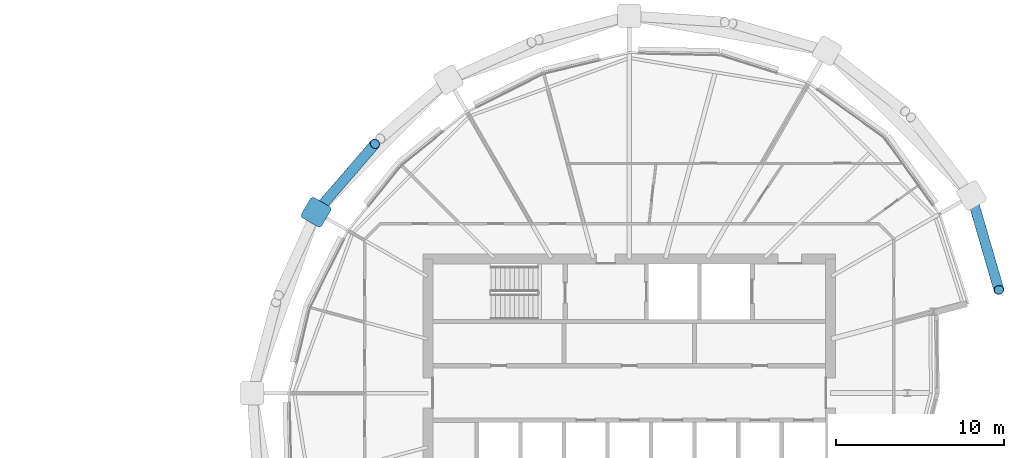
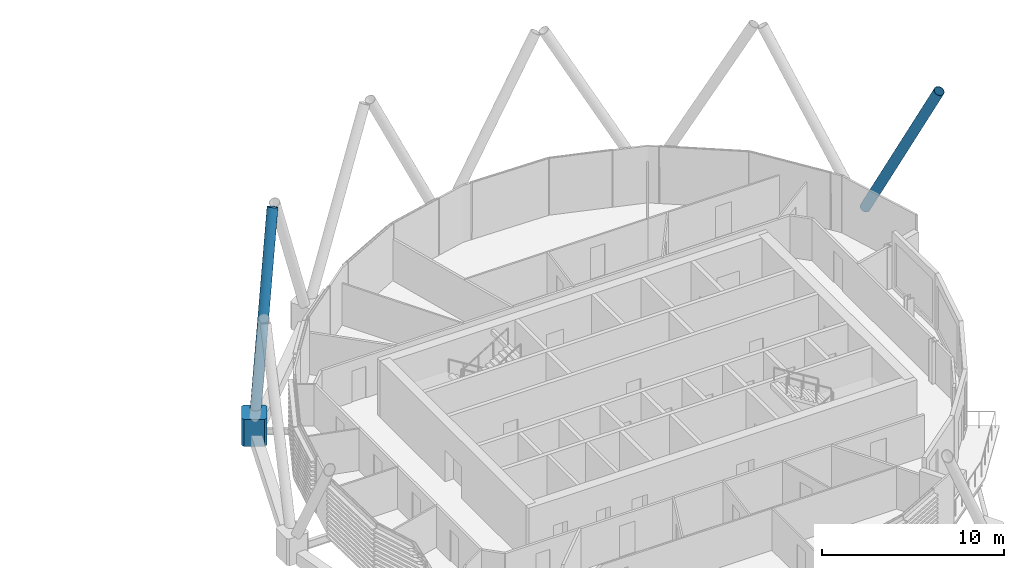
# One storey, part 17 of 36: 3 members.
"""IFC4 building model written with IfcOpenShell, lengths in metres."""

import ifcopenshell
import ifcopenshell.guid

model = None  # the IFC model being written
_history = None  # IfcOwnerHistory: only IFC2X3 demands one
_inside = {}  # id of a spatial element -> (the spatial element, [elements in it])
_under = {}  # id of a project, library or spatial element -> (it, [spatial elements below it])
_declared = {}  # id of a project -> (the project, [libraries it declares])
_typed = {}  # id of a type object -> (the type object, [elements of that type])
_made_of = {}  # id of a material, layer set ... -> (it, [elements and type objects made of it])


def new_model(schema):
    """Start an empty IFC model of exactly this schema.

    Asked for "IFC4X3", IfcOpenShell would pick the latest addendum, in which some entities
    have other attributes; the version numbers below select the first issue.
    IFC2X3 requires an IfcOwnerHistory on every rooted entity: one is made here for all.
    """
    global model, _history
    if schema == "IFC4X3":
        model = ifcopenshell.file(schema_version=(4, 3, 0, 0))
    else:
        model = ifcopenshell.file(schema=schema)
    _inside.clear()
    _under.clear()
    _declared.clear()
    _typed.clear()
    _made_of.clear()
    _history = None
    if model.schema == "IFC2X3":
        org = make("IfcOrganization", Name="unknown")
        user = make(
            "IfcPersonAndOrganization",
            ThePerson=make("IfcPerson", FamilyName="unknown"),
            TheOrganization=org,
        )
        app = make(
            "IfcApplication",
            ApplicationDeveloper=org,
            Version="unknown",
            ApplicationFullName="unknown",
            ApplicationIdentifier="unknown",
        )
        _history = make(
            "IfcOwnerHistory",
            OwningUser=user,
            OwningApplication=app,
            ChangeAction="ADDED",
            CreationDate=0,
        )
    return model


def make(cls, **values):
    """One entity of the class cls with the attributes given. An attribute that is None is left unset."""
    return model.create_entity(
        cls, **{name: value for name, value in values.items() if value is not None}
    )


def rooted(cls, **values):
    """An entity with a GlobalId (a new one), such as an element, a storey or a relation."""
    return make(cls, GlobalId=ifcopenshell.guid.new(), OwnerHistory=_history, **values)


def si_unit(unit_type, name, prefix=None):
    """IfcSIUnit, for example si_unit("LENGTHUNIT", "METRE", prefix="MILLI")."""
    return make("IfcSIUnit", UnitType=unit_type, Prefix=prefix, Name=name)


def assignment(units):
    """IfcUnitAssignment: the units of a project."""
    return None if units is None else make("IfcUnitAssignment", Units=units)


def point(xyz):
    """IfcCartesianPoint."""
    return None if xyz is None else make("IfcCartesianPoint", Coordinates=xyz)


def direction(xyz):
    """IfcDirection."""
    return None if xyz is None else make("IfcDirection", DirectionRatios=xyz)


def frame(location, z_axis=None, x_axis=None):
    """IfcAxis2Placement3D, a coordinate frame: its origin and axes. An axis left out is left unset."""
    return make(
        "IfcAxis2Placement3D",
        Location=point(location),
        Axis=direction(z_axis),
        RefDirection=direction(x_axis),
    )


def frame_2d(location, x_axis=None):
    """IfcAxis2Placement2D, a coordinate frame in the plane: its origin and x axis."""
    return make(
        "IfcAxis2Placement2D", Location=point(location), RefDirection=direction(x_axis)
    )


def origin():
    """The frame at (0, 0, 0) with its axes left unset."""
    return frame((0.0, 0.0, 0.0))


def origin_2d():
    """The frame at (0, 0) in the plane with its x axis left unset."""
    return frame_2d((0.0, 0.0))


def place(relative_to, where):
    """IfcLocalPlacement: puts the frame where relative to a parent placement (None: the world)."""
    return make(
        "IfcLocalPlacement", PlacementRelTo=relative_to, RelativePlacement=where
    )


def context(
    kind, dimensions, precision=None, world=None, true_north=None, identifier=None
):
    """IfcGeometricRepresentationContext, for example the 3D "Model" context."""
    return make(
        "IfcGeometricRepresentationContext",
        ContextIdentifier=identifier,
        ContextType=kind,
        CoordinateSpaceDimension=dimensions,
        Precision=precision,
        WorldCoordinateSystem=world,
        TrueNorth=true_north,
    )


def subcontext(parent, identifier, kind, view, scale=None):
    """IfcGeometricRepresentationSubContext, for example "Body" below "Model"."""
    return make(
        "IfcGeometricRepresentationSubContext",
        ContextIdentifier=identifier,
        ContextType=kind,
        ParentContext=parent,
        TargetScale=scale,
        TargetView=view,
    )


def project(units=None, contexts=None):
    """IfcProject with its units and contexts."""
    return rooted(
        "IfcProject",
        Name="project",
        RepresentationContexts=contexts,
        UnitsInContext=assignment(units),
    )


def spatial(cls, under=None, at=None, **own):
    """A site, building, storey or space (cls), placed at a placement, below another one or the project."""
    s = rooted(cls, ObjectPlacement=at, **own)
    if under is not None:
        _under.setdefault(under.id(), (under, []))[1].append(s)
    return s


def polyline(points):
    """IfcPolyline through the points."""
    return make("IfcPolyline", Points=[point(p) for p in points])


def profile(cls, at=None, kind="AREA", **sizes):
    """A parametric profile (cls). Its sizes go by their IFC names, for example OverallWidth=200.0."""
    return make(cls, ProfileType=kind, Position=at, **sizes)


def hollow_circle(**sizes):
    """IfcCircleHollowProfileDef."""
    return profile("IfcCircleHollowProfileDef", **sizes)


def outline(outer, holes=None, kind="AREA"):
    """IfcArbitraryClosedProfileDef: a profile drawn as a closed curve; with holes, ...WithVoids."""
    if holes is None:
        return make("IfcArbitraryClosedProfileDef", ProfileType=kind, OuterCurve=outer)
    return make(
        "IfcArbitraryProfileDefWithVoids",
        ProfileType=kind,
        OuterCurve=outer,
        InnerCurves=holes,
    )


def extrude(swept, where, along, depth):
    """IfcExtrudedAreaSolid: the profile swept, set in the frame where, extruded along a direction by depth."""
    return make(
        "IfcExtrudedAreaSolid",
        SweptArea=swept,
        Position=where,
        ExtrudedDirection=direction(along),
        Depth=depth,
    )


def shape(context_of_items, identifier, shape_type, items):
    """IfcShapeRepresentation: the items that make up one representation, for example the "Body"."""
    return make(
        "IfcShapeRepresentation",
        ContextOfItems=context_of_items,
        RepresentationIdentifier=identifier,
        RepresentationType=shape_type,
        Items=items,
    )


def material(Name=None, Category=None):
    """IfcMaterial."""
    return make("IfcMaterial", Name=Name, Category=Category)


def material_profile(
    of_material, cross_section, Name=None, Category=None, Priority=None
):
    """IfcMaterialProfile: a cross section and its material."""
    return make(
        "IfcMaterialProfile",
        Name=Name,
        Material=of_material,
        Profile=cross_section,
        Priority=Priority,
        Category=Category,
    )


def profile_set(profiles, Name=None, composite=None):
    """IfcMaterialProfileSet."""
    return make(
        "IfcMaterialProfileSet",
        Name=Name,
        MaterialProfiles=profiles,
        CompositeProfile=composite,
    )


def made_of(thing, what):
    """Note that an element or type object is made of a material, layer set ...; save() writes the relation."""
    if what is not None:
        _made_of.setdefault(what.id(), (what, []))[1].append(thing)
    return thing


def type_object(cls, material=None, **own):
    """A type object (cls), such as IfcWallType, which elements share."""
    return made_of(rooted(cls, **own), material)


def element(
    cls,
    number,
    at=None,
    inside=None,
    cuts=None,
    type_object=None,
    material=None,
    context=None,
    identifier="Body",
    shape_type=None,
    held_by="IfcProductDefinitionShape",
    body=None,
    shapes=None,
    **own,
):
    """One element of the class cls, such as IfcWall. Its Tag is "e" and its number.

    at: its placement. inside: the storey or other place that contains it. cuts: it is an
    opening in that element (IfcRelVoidsElement). A single representation is given by context,
    identifier, shape_type and body (its items); several are given by shapes. held_by: the class
    of the entity that holds the representations. save() writes the other relations.
    """
    e = rooted(cls, Tag="e%d" % number, ObjectPlacement=at, **own)
    if body is not None:
        shapes = [shape(context, identifier, shape_type, body)]
    if shapes is not None:
        e.Representation = make(held_by, Representations=shapes)
    if inside is not None:
        _inside.setdefault(inside.id(), (inside, []))[1].append(e)
    if cuts is not None:
        rooted(
            "IfcRelVoidsElement", RelatingBuildingElement=cuts, RelatedOpeningElement=e
        )
    if type_object is not None:
        _typed.setdefault(type_object.id(), (type_object, []))[1].append(e)
    return made_of(e, material)


def aggregate(whole, parts):
    """IfcRelAggregates: a whole, such as a stair, and the parts it consists of."""
    return rooted("IfcRelAggregates", RelatingObject=whole, RelatedObjects=parts)


def save(model, path):
    """Write the relations noted so far, then the file.

    IfcRelAggregates (storeys below a building ...), IfcRelContainedInSpatialStructure (elements
    in a storey), IfcRelDefinesByType, IfcRelAssociatesMaterial and IfcRelDeclares: one each for
    every whole, place, type object, material and project.
    """
    for whole, parts in _under.values():
        aggregate(whole, parts)
    for where, things in _inside.values():
        rooted(
            "IfcRelContainedInSpatialStructure",
            RelatedElements=things,
            RelatingStructure=where,
        )
    for kind, things in _typed.values():
        rooted("IfcRelDefinesByType", RelatedObjects=things, RelatingType=kind)
    for what, things in _made_of.values():
        rooted("IfcRelAssociatesMaterial", RelatedObjects=things, RelatingMaterial=what)
    for by, libraries in _declared.values():
        rooted("IfcRelDeclares", RelatingContext=by, RelatedDefinitions=libraries)
    model.write(path)


model = new_model("IFC4")

# Units and contexts
model_context = context("Model", 3, precision=1e-05, world=origin(), true_north=direction((0.0, 1.0)))
body_context = subcontext(model_context, "Body", "Model", "MODEL_VIEW")
ifc_project = project(units=[si_unit("LENGTHUNIT", "METRE"), si_unit("AREAUNIT", "SQUARE_METRE"), si_unit("VOLUMEUNIT", "CUBIC_METRE"), si_unit("PLANEANGLEUNIT", "RADIAN"), si_unit("MASSUNIT", "GRAM", prefix="KILO")], contexts=[model_context])

# Site, building, storey
site_placement = place(None, origin())
site = spatial("IfcSite", under=ifc_project, at=site_placement, CompositionType="ELEMENT")
building_placement = place(site_placement, origin())
building = spatial("IfcBuilding", under=site, at=building_placement, Name="Rimbun Link Towers", CompositionType="ELEMENT")
storey_placement = place(building_placement, frame((0.0, 0.0, 193.10009765625)))
storey = spatial("IfcBuildingStorey", under=building, at=storey_placement, Name="L47", CompositionType="ELEMENT", Elevation=193.10009765625)

# Members
ifc_material_1 = material(Name="Steel S355J2H", Category="steel")
ifc_material_profile_1 = material_profile(ifc_material_1, hollow_circle(Radius=0.3046875, WallThickness=0.02490234375, at=origin_2d()), Name="Diagrid diagonal CHS 610x25")
ifc_profile_set_1 = profile_set([ifc_material_profile_1], Name="Steel S355J2H")
member_type_1 = type_object("IfcMemberType", Name="Diagrid diagonal CHS 610x25", PredefinedType="BRACE", material=ifc_profile_set_1)
member_1_placement = place(storey_placement, frame((13.219482421875, 10.948486328125, 0.44873046875), z_axis=(0.2876765553, 0.333814148784, 0.897669378782), x_axis=(-0.757515738209, 0.652816901103, 0.0)))
element("IfcMember", 1, at=member_1_placement, inside=storey, type_object=member_type_1, Name="Diagrid diagonal T2 L47-L50 07a", PredefinedType="BRACE", context=body_context, shape_type="SweptSolid", body=[
    extrude(hollow_circle(Radius=0.3046875, WallThickness=0.02490234375, at=origin_2d()), origin(), (0.0, 0.0, 1.0), 11.69970703125),
])
member_2_placement = place(storey_placement, frame((52.212890625, 11.5498046875, 0.44091796875), z_axis=(0.13146530095, -0.452934087612, 0.881797928624), x_axis=(0.9603642172, 0.278748220303, 0.0)))
element("IfcMember", 2, at=member_2_placement, inside=storey, type_object=member_type_1, Name="Diagrid diagonal T2 L47-L50 23a", PredefinedType="BRACE", context=body_context, shape_type="SweptSolid", body=[
    extrude(hollow_circle(Radius=0.3046875, WallThickness=0.02490234375, at=origin_2d()), origin(), (0.0, 0.0, 1.0), 11.927978515625),
])
ifc_material_2 = material(Name="Cast steel G20Mn5+QT, Rp0.2 300 MPa", Category="steel")
ifc_material_profile_2 = material_profile(ifc_material_2, outline(polyline([(0.699951171875, -0.570068359375), (0.699951171875, 0.570068359375), (0.570068359375, 0.699951171875), (-0.570068359375, 0.699951171875), (-0.699951171875, 0.570068359375), (-0.699951171875, -0.570068359375), (-0.570068359375, -0.699951171875), (0.570068359375, -0.699951171875), (0.699951171875, -0.570068359375)])), Name="NODE 1400x1400")
ifc_profile_set_2 = profile_set([ifc_material_profile_2], Name="Cast steel G20Mn5+QT, Rp0.2 300 MPa")
member_type_2 = type_object("IfcMemberType", Name="Diagrid node cast 1400", PredefinedType="USERDEFINED", material=ifc_profile_set_2)
member_3_placement = place(storey_placement, frame((13.07568359375, 10.78173828125, -0.900146484375), z_axis=(0.0, 0.0, 1.0), x_axis=(-0.866025403784, 0.5, 0.0)))
element("IfcMember", 3, at=member_3_placement, inside=storey, type_object=member_type_2, Name="Diagrid node L47 07", ObjectType="Diagrid node", PredefinedType="USERDEFINED", context=body_context, shape_type="SweptSolid", body=[
    extrude(outline(polyline([(0.699951171875, -0.570068359375), (0.699951171875, 0.570068359375), (0.570068359375, 0.699951171875), (-0.570068359375, 0.699951171875), (-0.699951171875, 0.570068359375), (-0.699951171875, -0.570068359375), (-0.570068359375, -0.699951171875), (0.570068359375, -0.699951171875), (0.699951171875, -0.570068359375)])), origin(), (0.0, 0.0, 1.0), 1.800048828125),
])

save(model, "model.ifc")
